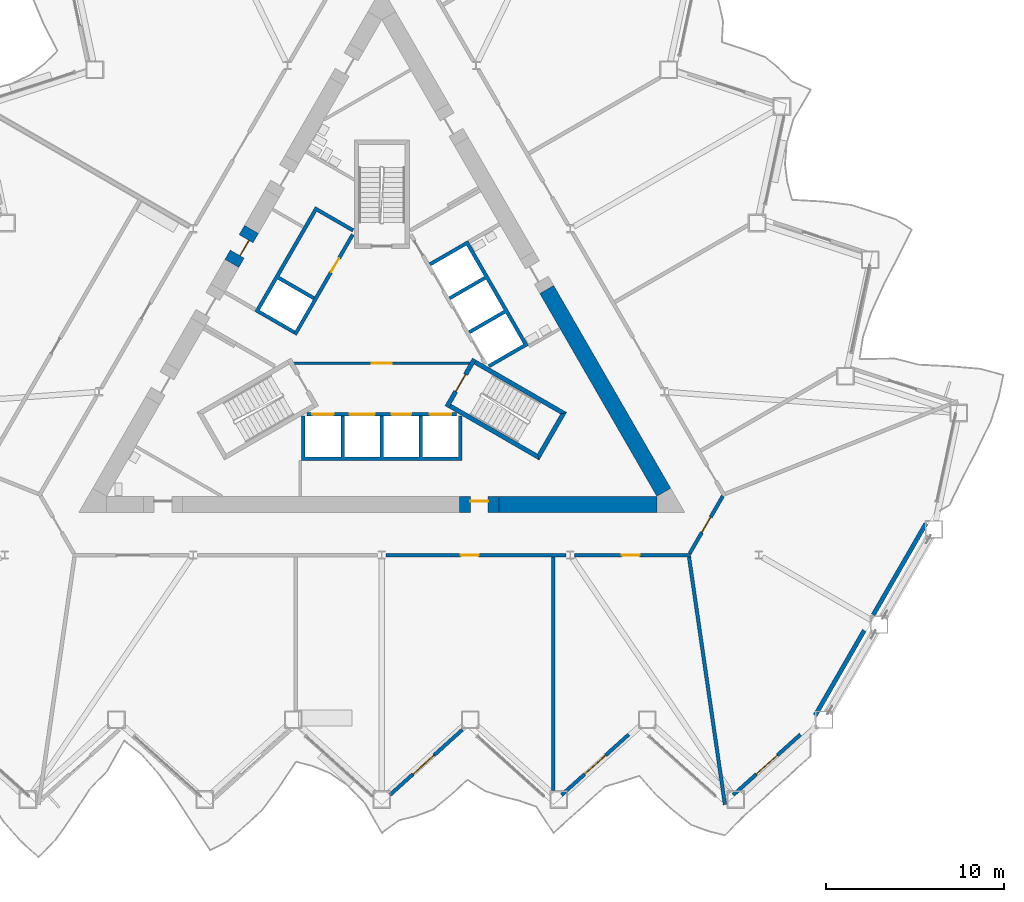
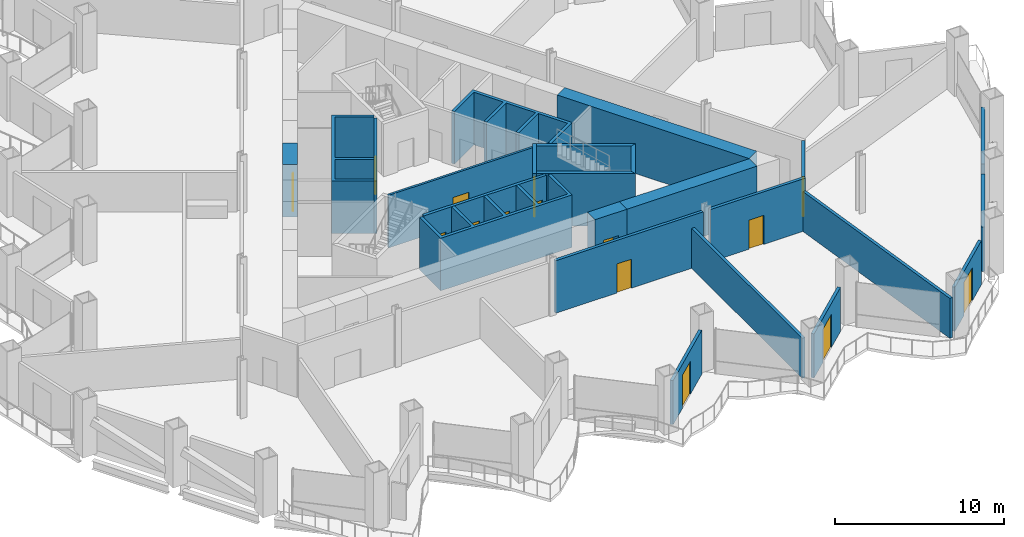
# One storey, part 10 of 20: 24 walls, 15 doors, 15 openings.
"""IFC4 building model written with IfcOpenShell, lengths in metres."""

from ifc_helpers import new_model, si_unit, direction, frame, frame_2d, origin, place, context, subcontext, project, spatial, polyline, rectangle, outline, extrude, material, layer, layer_set, type_object, element, fill, save


model = new_model("IFC4")

# Units and contexts
model_context = context("Model", 3, precision=1e-05, world=origin(), true_north=direction((0.0, 1.0)))
body_context = subcontext(model_context, "Body", "Model", "MODEL_VIEW")
ifc_project = project(units=[si_unit("LENGTHUNIT", "METRE"), si_unit("AREAUNIT", "SQUARE_METRE"), si_unit("VOLUMEUNIT", "CUBIC_METRE"), si_unit("PLANEANGLEUNIT", "RADIAN"), si_unit("MASSUNIT", "GRAM", prefix="KILO")], contexts=[model_context])

# Site, building, storey
site_placement = place(None, origin())
site = spatial("IfcSite", under=ifc_project, at=site_placement, CompositionType="ELEMENT")
building_placement = place(site_placement, origin())
building = spatial("IfcBuilding", under=site, at=building_placement, Name="Cormorant Prow Tower", CompositionType="ELEMENT")
storey_placement = place(building_placement, frame((0.0, 0.0, 38.39990234375)))
storey = spatial("IfcBuildingStorey", under=building, at=storey_placement, Name="L07", CompositionType="ELEMENT", Elevation=38.39990234375)

# Wall, opening, door
ifc_material_1 = material(Name="Gypsum board partition")
ifc_layer_1 = layer(ifc_material_1, 0.14990234375)
ifc_layer_set_1 = layer_set([ifc_layer_1], Name="Gypsum board partition")
wall_type_1 = type_object("IfcWallType", Name="Core partition 150", PredefinedType="PARTITIONING", material=ifc_layer_set_1)
wall_1_placement = place(storey_placement, frame((-4.941162109375, -1.449951171875, 0.0), z_axis=(0.0, 0.0, 1.0), x_axis=(1.0, 0.0, 0.0)))
wall_1 = element("IfcWall", 1, at=wall_1_placement, inside=storey, type_object=wall_type_1, Name="Firefighting lobby partition", PredefinedType="PARTITIONING", context=body_context, shape_type="SweptSolid", body=[
    extrude(rectangle(XDim=9.88232421875, YDim=0.14990234375, at=frame_2d((4.941162109375, 0.0))), origin(), (0.0, 0.0, 1.0), 3.800048828125),
])
opening_1_placement = place(wall_1_placement, frame((4.39111328125, 0.0, 0.0)))
opening_1 = element("IfcOpeningElement", 2, at=opening_1_placement, cuts=wall_1, Name="Opening L07-C10", PredefinedType="OPENING", context=body_context, shape_type="SweptSolid", body=[
    extrude(rectangle(XDim=1.10009765625, YDim=2.10009765625, at=frame_2d((0.550048828125, 1.050048828125))), frame((0.0, 0.0849609375, 0.0), z_axis=(0.0, -1.0, 0.0), x_axis=(1.0, 0.0, 0.0)), (0.0, 0.0, 1.0), 0.169921875),
])
ifc_material_2 = material(Name="Painted steel", Category="steel")
door_type_1 = type_object("IfcDoorType", Name="Firefighting lobby door 1100x2100", OperationType="NOTDEFINED", PredefinedType="DOOR", material=ifc_material_2)
door_1_placement = place(opening_1_placement, origin())
door_1 = element("IfcDoor", 3, at=door_1_placement, inside=storey, type_object=door_type_1, Name="Firefighting lobby door", OperationType="SINGLE_SWING_RIGHT", OverallHeight=2.10009765625, OverallWidth=1.10009765625, PredefinedType="DOOR", context=body_context, shape_type="SweptSolid", body=[
    extrude(rectangle(XDim=1.10009765625, YDim=2.10009765625, at=frame_2d((0.550048828125, 1.050048828125))), frame((0.0, 0.02490234375, 0.0), z_axis=(0.0, -1.0, 0.0), x_axis=(1.0, 0.0, 0.0)), (0.0, 0.0, 1.0), 0.050048828125),
])
fill(opening_1, door_1)

# Walls
ifc_material_3 = material(Name="Concrete 8000 psi", Category="concrete")
ifc_layer_2 = layer(ifc_material_3, 0.89990234375)
ifc_layer_set_2 = layer_set([ifc_layer_2], Name="Concrete 8000 psi")
wall_type_2 = type_object("IfcWallType", Name="Core shear wall 900", PredefinedType="SHEAR", material=ifc_layer_set_2)
wall_2_placement = place(storey_placement, frame((6.570556640625, -9.364990234375, 0.0), z_axis=(0.0, 0.0, 1.0), x_axis=(1.0, 0.0, 0.0)))
element("IfcWall", 4, at=wall_2_placement, inside=storey, type_object=wall_type_2, Name="Core wall", PredefinedType="SHEAR", context=body_context, shape_type="SweptSolid", body=[
    extrude(rectangle(XDim=8.87060546875, YDim=0.89990234375, at=frame_2d((4.435302734375, 0.0))), origin(), (0.0, 0.0, 1.0), 3.800048828125),
])
wall_3_placement = place(storey_placement, frame((15.830810546875, -8.68994140625, 0.0), z_axis=(0.0, 0.0, 1.0), x_axis=(-0.499997452939, 0.866026874326, 0.0)))
element("IfcWall", 5, at=wall_3_placement, inside=storey, type_object=wall_type_2, Name="Core wall", PredefinedType="SHEAR", context=body_context, shape_type="SweptSolid", body=[
    extrude(rectangle(XDim=13.14111328125, YDim=0.89990234375, at=frame_2d((6.570556640625, 0.0))), origin(), (0.0, 0.0, 1.0), 3.800048828125),
])

# Wall, opening, door
wall_4_placement = place(storey_placement, frame((4.37060546875, -9.364990234375, 0.0), z_axis=(0.0, 0.0, 1.0), x_axis=(1.0, 0.0, 0.0)))
wall_4 = element("IfcWall", 6, at=wall_4_placement, inside=storey, type_object=wall_type_2, Name="Core wall door panel", PredefinedType="SHEAR", context=body_context, shape_type="SweptSolid", body=[
    extrude(rectangle(XDim=2.199951171875, YDim=0.89990234375, at=frame_2d((1.10009765625, 0.0))), origin(), (0.0, 0.0, 1.0), 3.800048828125),
])
opening_2_placement = place(wall_4_placement, frame((0.60009765625, 0.0, 0.0)))
opening_2 = element("IfcOpeningElement", 7, at=opening_2_placement, cuts=wall_4, Name="Opening L07-C15", PredefinedType="OPENING", context=body_context, shape_type="SweptSolid", body=[
    extrude(rectangle(XDim=1.0, YDim=2.10009765625, at=frame_2d((0.5, 1.050048828125))), frame((0.0, 0.4599609375, 0.0), z_axis=(0.0, -1.0, 0.0), x_axis=(1.0, 0.0, 0.0)), (0.0, 0.0, 1.0), 0.919921875),
])
ifc_material_4 = material(Name="Painted steel", Category="steel")
door_type_2 = type_object("IfcDoorType", Name="Service door 1000x2100", OperationType="NOTDEFINED", PredefinedType="DOOR", material=ifc_material_4)
door_2_placement = place(opening_2_placement, origin())
door_2 = element("IfcDoor", 8, at=door_2_placement, inside=storey, type_object=door_type_2, Name="Core door, Electrical room", OperationType="SINGLE_SWING_LEFT", OverallHeight=2.10009765625, OverallWidth=1.0, PredefinedType="DOOR", context=body_context, shape_type="SweptSolid", body=[
    extrude(rectangle(XDim=1.0, YDim=2.10009765625, at=frame_2d((0.5, 1.050048828125))), frame((0.0, 0.205078125, 0.0), z_axis=(0.0, -1.0, 0.0), x_axis=(1.0, 0.0, 0.0)), (0.0, 0.0, 1.0), 0.050048828125),
])
fill(opening_2, door_2)

wall_5_placement = place(storey_placement, frame((-7.3134765625, 6.0625, 0.0), z_axis=(0.0, 0.0, 1.0), x_axis=(-0.500077893725, -0.86598042715, 0.0)))
wall_5 = element("IfcWall", 9, at=wall_5_placement, inside=storey, type_object=wall_type_2, Name="Core wall door panel", PredefinedType="SHEAR", context=body_context, shape_type="SweptSolid", body=[
    extrude(rectangle(XDim=2.199951171875, YDim=0.89990234375, at=frame_2d((1.10009765625, 0.0))), origin(), (0.0, 0.0, 1.0), 3.800048828125),
])
opening_3_placement = place(wall_5_placement, frame((0.60009765625, 0.0, 0.0)))
opening_3 = element("IfcOpeningElement", 10, at=opening_3_placement, cuts=wall_5, Name="Opening L07-C18", PredefinedType="OPENING", context=body_context, shape_type="SweptSolid", body=[
    extrude(rectangle(XDim=1.0, YDim=2.10009765625, at=frame_2d((0.5, 1.050048828125))), frame((0.0, 0.4599609375, 0.0), z_axis=(0.0, -1.0, 0.0), x_axis=(1.0, 0.0, 0.0)), (0.0, 0.0, 1.0), 0.919921875),
])
door_3_placement = place(opening_3_placement, origin())
door_3 = element("IfcDoor", 11, at=door_3_placement, inside=storey, type_object=door_type_2, Name="Core door, Housekeeping store", OperationType="SINGLE_SWING_RIGHT", OverallHeight=2.10009765625, OverallWidth=1.0, PredefinedType="DOOR", context=body_context, shape_type="SweptSolid", body=[
    extrude(rectangle(XDim=1.0, YDim=2.10009765625, at=frame_2d((0.5, 1.050048828125))), frame((0.0, 0.205078125, 0.0), z_axis=(0.0, -1.0, 0.0), x_axis=(1.0, 0.0, 0.0)), (0.0, 0.0, 1.0), 0.050048828125),
])
fill(opening_3, door_3)

ifc_material_5 = material(Name="Gypsum board corridor wall")
ifc_layer_3 = layer(ifc_material_5, 0.199951171875)
ifc_layer_set_3 = layer_set([ifc_layer_3], Name="Gypsum board corridor wall")
wall_type_3 = type_object("IfcWallType", Name="Corridor wall 200", PredefinedType="PARTITIONING", material=ifc_layer_set_3)
wall_6_placement = place(storey_placement, frame((0.2421875, -12.215087890625, 0.0), z_axis=(0.0, 0.0, 1.0), x_axis=(1.0, 0.0, 0.0)))
wall_6 = element("IfcWall", 12, at=wall_6_placement, inside=storey, type_object=wall_type_3, Name="Corridor wall", PredefinedType="PARTITIONING", context=body_context, shape_type="SweptSolid", body=[
    extrude(rectangle(XDim=10.093994140625, YDim=0.199951171875, at=frame_2d((5.046875, 0.0))), origin(), (0.0, 0.0, 1.0), 3.800048828125),
])
opening_4_placement = place(wall_6_placement, frame((4.193115234375, 0.0, 0.0)))
opening_4 = element("IfcOpeningElement", 13, at=opening_4_placement, cuts=wall_6, Name="Opening L07-F02", PredefinedType="OPENING", context=body_context, shape_type="SweptSolid", body=[
    extrude(rectangle(XDim=1.0, YDim=2.10009765625, at=frame_2d((0.5, 1.050048828125))), frame((0.0, 0.10986328125, 0.0), z_axis=(0.0, -1.0, 0.0), x_axis=(1.0, 0.0, 0.0)), (0.0, 0.0, 1.0), 0.219970703125),
])
ifc_material_6 = material(Name="Timber door leaf", Category="wood")
door_type_3 = type_object("IfcDoorType", Name="Office door 1000x2100", OperationType="NOTDEFINED", PredefinedType="DOOR", material=ifc_material_6)
door_4_placement = place(opening_4_placement, origin())
door_4 = element("IfcDoor", 14, at=door_4_placement, inside=storey, type_object=door_type_3, Name="Tenant reception door", OperationType="SINGLE_SWING_LEFT", OverallHeight=2.10009765625, OverallWidth=1.0, PredefinedType="DOOR", context=body_context, shape_type="SweptSolid", body=[
    extrude(rectangle(XDim=1.0, YDim=2.10009765625, at=frame_2d((0.5, 1.050048828125))), frame((0.0, 0.02490234375, 0.0), z_axis=(0.0, -1.0, 0.0), x_axis=(1.0, 0.0, 0.0)), (0.0, 0.0, 1.0), 0.050048828125),
])
fill(opening_4, door_4)

wall_7_placement = place(storey_placement, frame((10.82080078125, -12.215087890625, 0.0), z_axis=(0.0, 0.0, 1.0), x_axis=(1.0, 0.0, 0.0)))
wall_7 = element("IfcWall", 15, at=wall_7_placement, inside=storey, type_object=wall_type_3, Name="Corridor wall", PredefinedType="PARTITIONING", context=body_context, shape_type="SweptSolid", body=[
    extrude(rectangle(XDim=6.510009765625, YDim=0.199951171875, at=frame_2d((3.2548828125, 0.0))), origin(), (0.0, 0.0, 1.0), 3.800048828125),
])
opening_5_placement = place(wall_7_placement, frame((2.65478515625, 0.0, 0.0)))
opening_5 = element("IfcOpeningElement", 16, at=opening_5_placement, cuts=wall_7, Name="Opening L07-F03", PredefinedType="OPENING", context=body_context, shape_type="SweptSolid", body=[
    extrude(rectangle(XDim=1.0, YDim=2.10009765625, at=frame_2d((0.5, 1.050048828125))), frame((0.0, 0.10986328125, 0.0), z_axis=(0.0, -1.0, 0.0), x_axis=(1.0, 0.0, 0.0)), (0.0, 0.0, 1.0), 0.219970703125),
])
door_5_placement = place(opening_5_placement, origin())
door_5 = element("IfcDoor", 17, at=door_5_placement, inside=storey, type_object=door_type_3, Name="Tenant suite door", OperationType="SINGLE_SWING_LEFT", OverallHeight=2.10009765625, OverallWidth=1.0, PredefinedType="DOOR", context=body_context, shape_type="SweptSolid", body=[
    extrude(rectangle(XDim=1.0, YDim=2.10009765625, at=frame_2d((0.5, 1.050048828125))), frame((0.0, 0.02490234375, 0.0), z_axis=(0.0, -1.0, 0.0), x_axis=(1.0, 0.0, 0.0)), (0.0, 0.0, 1.0), 0.050048828125),
])
fill(opening_5, door_5)

wall_8_placement = place(storey_placement, frame((17.281005859375, -12.12841796875, 0.0), z_axis=(0.0, 0.0, 1.0), x_axis=(0.499958791762, 0.866049194065, 0.0)))
wall_8 = element("IfcWall", 18, at=wall_8_placement, inside=storey, type_object=wall_type_3, Name="Corridor wall", PredefinedType="PARTITIONING", context=body_context, shape_type="SweptSolid", body=[
    extrude(rectangle(XDim=3.725830078125, YDim=0.199951171875, at=frame_2d((1.86279296875, 0.0))), origin(), (0.0, 0.0, 1.0), 3.800048828125),
])
opening_6_placement = place(wall_8_placement, frame((1.363037109375, 0.0, 0.0)))
opening_6 = element("IfcOpeningElement", 19, at=opening_6_placement, cuts=wall_8, Name="Opening L07-F04", PredefinedType="OPENING", context=body_context, shape_type="SweptSolid", body=[
    extrude(rectangle(XDim=1.0, YDim=2.10009765625, at=frame_2d((0.5, 1.050048828125))), frame((0.0, 0.10986328125, 0.0), z_axis=(0.0, -1.0, 0.0), x_axis=(1.0, 0.0, 0.0)), (0.0, 0.0, 1.0), 0.219970703125),
])
door_6_placement = place(opening_6_placement, origin())
door_6 = element("IfcDoor", 20, at=door_6_placement, inside=storey, type_object=door_type_3, Name="Tenant suite door", OperationType="SINGLE_SWING_RIGHT", OverallHeight=2.10009765625, OverallWidth=1.0, PredefinedType="DOOR", context=body_context, shape_type="SweptSolid", body=[
    extrude(rectangle(XDim=1.0, YDim=2.10009765625, at=frame_2d((0.5, 1.050048828125))), frame((0.0, 0.02490234375, 0.0), z_axis=(0.0, -1.0, 0.0), x_axis=(1.0, 0.0, 0.0)), (0.0, 0.0, 1.0), 0.050048828125),
])
fill(opening_6, door_6)

# Walls
ifc_material_7 = material(Name="Gypsum board demising wall")
ifc_layer_4 = layer(ifc_material_7, 0.199951171875)
ifc_layer_set_4 = layer_set([ifc_layer_4], Name="Gypsum board demising wall")
wall_type_4 = type_object("IfcWallType", Name="Demising wall 200", PredefinedType="PARTITIONING", material=ifc_layer_set_4)
wall_9_placement = place(storey_placement, frame((17.245361328125, -12.31396484375, 0.0), z_axis=(0.0, 0.0, 1.0), x_axis=(0.143525263071, -0.989646653539, 0.0)))
element("IfcWall", 21, at=wall_9_placement, inside=storey, type_object=wall_type_4, Name="Demising wall", PredefinedType="PARTITIONING", context=body_context, shape_type="SweptSolid", body=[
    extrude(rectangle(XDim=14.050537109375, YDim=0.199951171875, at=frame_2d((7.025390625, 0.0))), origin(), (0.0, 0.0, 1.0), 2.885498046875),
])
wall_10_placement = place(storey_placement, frame((9.635009765625, -25.42138671875, 0.0), z_axis=(0.0, 0.0, 1.0), x_axis=(0.0, 1.0, 0.0)))
element("IfcWall", 22, at=wall_10_placement, inside=storey, type_object=wall_type_4, Name="Demising wall", PredefinedType="PARTITIONING", context=body_context, shape_type="SweptSolid", body=[
    extrude(rectangle(XDim=13.1064453125, YDim=0.199951171875, at=frame_2d((6.55322265625, 0.0))), origin(), (0.0, 0.0, 1.0), 2.885498046875),
])

# Wall, openings, doors
ifc_material_8 = material(Name="Concrete 5000 psi", Category="concrete")
ifc_layer_5 = layer(ifc_material_8, 0.199951171875)
ifc_layer_set_5 = layer_set([ifc_layer_5], Name="Concrete 5000 psi")
wall_type_5 = type_object("IfcWallType", Name="Lift lobby wall 200", PredefinedType="SOLIDWALL", material=ifc_layer_set_5)
wall_11_placement = place(storey_placement, frame((-4.1865234375, -4.300048828125, 0.0), z_axis=(0.0, 0.0, 1.0), x_axis=(1.0, 0.0, 0.0)))
wall_11 = element("IfcWall", 23, at=wall_11_placement, inside=storey, type_object=wall_type_5, Name="Lift lobby wall, S block", PredefinedType="SOLIDWALL", context=body_context, shape_type="SweptSolid", body=[
    extrude(rectangle(XDim=8.373046875, YDim=0.199951171875, at=frame_2d((4.1865234375, 0.0))), origin(), (0.0, 0.0, 1.0), 3.800048828125),
])
opening_7_placement = place(wall_11_placement, frame((0.28662109375, 0.0, 0.0)))
opening_7 = element("IfcOpeningElement", 24, at=opening_7_placement, cuts=wall_11, Name="Opening L07-C01", PredefinedType="OPENING", context=body_context, shape_type="SweptSolid", body=[
    extrude(rectangle(XDim=1.199951171875, YDim=2.10009765625, at=frame_2d((0.60009765625, 1.050048828125))), frame((0.0, 0.10986328125, 0.0), z_axis=(0.0, -1.0, 0.0), x_axis=(1.0, 0.0, 0.0)), (0.0, 0.0, 1.0), 0.219970703125),
])
opening_8_placement = place(wall_11_placement, frame((2.38671875, 0.0, 0.0)))
opening_8 = element("IfcOpeningElement", 25, at=opening_8_placement, cuts=wall_11, Name="Opening L07-C02", PredefinedType="OPENING", context=body_context, shape_type="SweptSolid", body=[
    extrude(rectangle(XDim=1.39990234375, YDim=2.10009765625, at=frame_2d((0.699951171875, 1.050048828125))), frame((0.0, 0.10986328125, 0.0), z_axis=(0.0, -1.0, 0.0), x_axis=(1.0, 0.0, 0.0)), (0.0, 0.0, 1.0), 0.219970703125),
])
opening_9_placement = place(wall_11_placement, frame((4.736572265625, 0.0, 0.0)))
opening_9 = element("IfcOpeningElement", 26, at=opening_9_placement, cuts=wall_11, Name="Opening L07-C03", PredefinedType="OPENING", context=body_context, shape_type="SweptSolid", body=[
    extrude(rectangle(XDim=1.10009765625, YDim=2.10009765625, at=frame_2d((0.550048828125, 1.050048828125))), frame((0.0, 0.10986328125, 0.0), z_axis=(0.0, -1.0, 0.0), x_axis=(1.0, 0.0, 0.0)), (0.0, 0.0, 1.0), 0.219970703125),
])
opening_10_placement = place(wall_11_placement, frame((6.88671875, 0.0, 0.0)))
opening_10 = element("IfcOpeningElement", 27, at=opening_10_placement, cuts=wall_11, Name="Opening L07-C04", PredefinedType="OPENING", context=body_context, shape_type="SweptSolid", body=[
    extrude(rectangle(XDim=1.199951171875, YDim=2.10009765625, at=frame_2d((0.60009765625, 1.050048828125))), frame((0.0, 0.10986328125, 0.0), z_axis=(0.0, -1.0, 0.0), x_axis=(1.0, 0.0, 0.0)), (0.0, 0.0, 1.0), 0.219970703125),
])
ifc_material_9 = material(Name="Painted steel", Category="steel")
door_type_4 = type_object("IfcDoorType", Name="Firefighting lift landing door 1200x2100", OperationType="SLIDING_TO_LEFT", PredefinedType="DOOR", material=ifc_material_9)
door_7_placement = place(opening_7_placement, origin())
door_7 = element("IfcDoor", 28, at=door_7_placement, inside=storey, type_object=door_type_4, Name="Landing door FL1", OperationType="SLIDING_TO_LEFT", OverallHeight=2.10009765625, OverallWidth=1.199951171875, PredefinedType="DOOR", context=body_context, shape_type="SweptSolid", body=[
    extrude(rectangle(XDim=1.199951171875, YDim=2.10009765625, at=frame_2d((0.60009765625, 1.050048828125))), frame((0.0, 0.02490234375, 0.0), z_axis=(0.0, -1.0, 0.0), x_axis=(1.0, 0.0, 0.0)), (0.0, 0.0, 1.0), 0.050048828125),
])
fill(opening_7, door_7)
door_8_placement = place(opening_10_placement, origin())
door_8 = element("IfcDoor", 29, at=door_8_placement, inside=storey, type_object=door_type_4, Name="Landing door FL2", OperationType="SLIDING_TO_LEFT", OverallHeight=2.10009765625, OverallWidth=1.199951171875, PredefinedType="DOOR", context=body_context, shape_type="SweptSolid", body=[
    extrude(rectangle(XDim=1.199951171875, YDim=2.10009765625, at=frame_2d((0.60009765625, 1.050048828125))), frame((0.0, 0.02490234375, 0.0), z_axis=(0.0, -1.0, 0.0), x_axis=(1.0, 0.0, 0.0)), (0.0, 0.0, 1.0), 0.050048828125),
])
fill(opening_10, door_8)
ifc_material_10 = material(Name="Painted steel", Category="steel")
door_type_5 = type_object("IfcDoorType", Name="Lift landing door 1100x2100", OperationType="SLIDING_TO_LEFT", PredefinedType="DOOR", material=ifc_material_10)
door_9_placement = place(opening_9_placement, origin())
door_9 = element("IfcDoor", 30, at=door_9_placement, inside=storey, type_object=door_type_5, Name="Landing door LR1", OperationType="SLIDING_TO_LEFT", OverallHeight=2.10009765625, OverallWidth=1.10009765625, PredefinedType="DOOR", context=body_context, shape_type="SweptSolid", body=[
    extrude(rectangle(XDim=1.10009765625, YDim=2.10009765625, at=frame_2d((0.550048828125, 1.050048828125))), frame((0.0, 0.02490234375, 0.0), z_axis=(0.0, -1.0, 0.0), x_axis=(1.0, 0.0, 0.0)), (0.0, 0.0, 1.0), 0.050048828125),
])
fill(opening_9, door_9)
ifc_material_11 = material(Name="Painted steel", Category="steel")
door_type_6 = type_object("IfcDoorType", Name="Service lift landing door 1400x2100", OperationType="SLIDING_TO_LEFT", PredefinedType="DOOR", material=ifc_material_11)
door_10_placement = place(opening_8_placement, origin())
door_10 = element("IfcDoor", 31, at=door_10_placement, inside=storey, type_object=door_type_6, Name="Landing door SL1", OperationType="SLIDING_TO_LEFT", OverallHeight=2.10009765625, OverallWidth=1.39990234375, PredefinedType="DOOR", context=body_context, shape_type="SweptSolid", body=[
    extrude(rectangle(XDim=1.39990234375, YDim=2.10009765625, at=frame_2d((0.699951171875, 1.050048828125))), frame((0.0, 0.02490234375, 0.0), z_axis=(0.0, -1.0, 0.0), x_axis=(1.0, 0.0, 0.0)), (0.0, 0.0, 1.0), 0.050048828125),
])
fill(opening_8, door_10)

# Wall, opening, door
wall_12_placement = place(storey_placement, frame((-1.630615234375, 5.775634765625, 0.0), z_axis=(0.0, 0.0, 1.0), x_axis=(-0.499992876559, -0.866029516466, 0.0)))
wall_12 = element("IfcWall", 32, at=wall_12_placement, inside=storey, type_object=wall_type_5, Name="Lift lobby wall, WNW block", PredefinedType="SOLIDWALL", context=body_context, shape_type="SweptSolid", body=[
    extrude(rectangle(XDim=6.486328125, YDim=0.199951171875, at=frame_2d((3.2431640625, 0.0))), origin(), (0.0, 0.0, 1.0), 3.800048828125),
])
opening_11_placement = place(wall_12_placement, frame((1.53662109375, 0.0, 0.0)))
opening_11 = element("IfcOpeningElement", 33, at=opening_11_placement, cuts=wall_12, Name="Opening L07-C09", PredefinedType="OPENING", context=body_context, shape_type="SweptSolid", body=[
    extrude(rectangle(XDim=0.89990234375, YDim=2.10009765625, at=frame_2d((0.449951171875, 1.050048828125))), frame((0.0, 0.10986328125, 0.0), z_axis=(0.0, -1.0, 0.0), x_axis=(1.0, 0.0, 0.0)), (0.0, 0.0, 1.0), 0.219970703125),
])
ifc_material_12 = material(Name="Painted steel", Category="steel")
door_type_7 = type_object("IfcDoorType", Name="Service door 900x2100", OperationType="NOTDEFINED", PredefinedType="DOOR", material=ifc_material_12)
door_11_placement = place(opening_11_placement, origin())
door_11 = element("IfcDoor", 34, at=door_11_placement, inside=storey, type_object=door_type_7, Name="Service door, Linen store", OperationType="SINGLE_SWING_LEFT", OverallHeight=2.10009765625, OverallWidth=0.89990234375, PredefinedType="DOOR", context=body_context, shape_type="SweptSolid", body=[
    extrude(rectangle(XDim=0.89990234375, YDim=2.10009765625, at=frame_2d((0.449951171875, 1.050048828125))), frame((0.0, 0.02490234375, 0.0), z_axis=(0.0, -1.0, 0.0), x_axis=(1.0, 0.0, 0.0)), (0.0, 0.0, 1.0), 0.050048828125),
])
fill(opening_11, door_11)

# Walls
ifc_material_13 = material(Name="Concrete 8000 psi", Category="concrete")
ifc_layer_6 = layer(ifc_material_13, 0.199951171875)
ifc_layer_set_6 = layer_set([ifc_layer_6], Name="Concrete 8000 psi")
wall_type_6 = type_object("IfcWallType", Name="Lift shaft wall 200", PredefinedType="SHEAR", material=ifc_layer_set_6)
wall_13_placement = place(storey_placement, origin())
element("IfcWall", 35, at=wall_13_placement, inside=storey, type_object=wall_type_6, Name="Lift shaft walls, S block", PredefinedType="SHEAR", context=body_context, shape_type="SweptSolid", body=[
    extrude(outline(polyline([(4.5, -4.39990234375), (4.5, -6.906005859375), (-4.5, -6.906005859375), (-4.5, -4.39990234375), (-4.300048828125, -4.39990234375), (-4.300048828125, -6.699951171875), (-2.300048828125, -6.699951171875), (-2.300048828125, -4.39990234375), (-2.10009765625, -4.39990234375), (-2.10009765625, -6.699951171875), (-0.10009765625, -6.699951171875), (-0.10009765625, -4.39990234375), (0.10009765625, -4.39990234375), (0.10009765625, -6.699951171875), (2.10009765625, -6.699951171875), (2.10009765625, -4.39990234375), (2.300048828125, -4.39990234375), (2.300048828125, -6.699951171875), (4.300048828125, -6.699951171875), (4.300048828125, -4.39990234375), (4.5, -4.39990234375)])), origin(), (0.0, 0.0, 1.0), 3.800048828125),
])
wall_14_placement = place(storey_placement, origin())
element("IfcWall", 36, at=wall_14_placement, inside=storey, type_object=wall_type_6, Name="Lift shaft walls, ENE block", PredefinedType="SHEAR", context=body_context, shape_type="SweptSolid", body=[
    extrude(outline(polyline([(2.660400390625, 4.19189453125), (4.830810546875, 5.44482421875), (8.230712890625, -0.444091796875), (6.060546875, -1.697021484375), (5.96044921875, -1.52392578125), (7.952392578125, -0.373779296875), (6.952392578125, 1.358154296875), (4.96044921875, 0.2080078125), (4.860595703125, 0.38134765625), (6.852294921875, 1.53125), (5.852294921875, 3.263427734375), (3.860595703125, 2.11328125), (3.760498046875, 2.28662109375), (5.75244140625, 3.4365234375), (4.75244140625, 5.168701171875), (2.760498046875, 4.018798828125), (2.660400390625, 4.19189453125)])), origin(), (0.0, 0.0, 1.0), 3.800048828125),
])
wall_15_placement = place(storey_placement, origin())
element("IfcWall", 37, at=wall_15_placement, inside=storey, type_object=wall_type_6, Name="Lift shaft walls, WNW block", PredefinedType="SHEAR", context=body_context, shape_type="SweptSolid", body=[
    extrude(outline(polyline([(-4.96044921875, 0.2080078125), (-7.130859375, 1.461181640625), (-3.730712890625, 7.35009765625), (-1.560546875, 6.09716796875), (-1.660400390625, 5.923828125), (-3.65234375, 7.073974609375), (-5.75244140625, 3.4365234375), (-3.760498046875, 2.28662109375), (-3.860595703125, 2.11328125), (-5.852294921875, 3.263427734375), (-6.852294921875, 1.53125), (-4.860595703125, 0.38134765625), (-4.96044921875, 0.2080078125)])), origin(), (0.0, 0.0, 1.0), 3.800048828125),
])
ifc_material_14 = material(Name="Concrete 8000 psi", Category="concrete")
ifc_layer_7 = layer(ifc_material_14, 0.25)
ifc_layer_set_7 = layer_set([ifc_layer_7], Name="Concrete 8000 psi")
wall_type_7 = type_object("IfcWallType", Name="Stair wall 250", PredefinedType="SHEAR", material=ifc_layer_set_7)
wall_16_placement = place(storey_placement, origin())
element("IfcWall", 38, at=wall_16_placement, inside=storey, type_object=wall_type_7, Name="Stair ST2 enclosure wall (flank)", PredefinedType="SHEAR", context=body_context, shape_type="SweptSolid", body=[
    extrude(outline(polyline([(3.76318359375, -3.95556640625), (8.82958984375, -6.880615234375), (8.738037109375, -6.5390625), (3.88818359375, -3.739013671875), (3.76318359375, -3.95556640625)])), origin(), (0.0, 0.0, 1.0), 3.800048828125),
])
wall_17_placement = place(storey_placement, origin())
element("IfcWall", 39, at=wall_17_placement, inside=storey, type_object=wall_type_7, Name="Stair ST2 enclosure wall (end)", PredefinedType="SHEAR", context=body_context, shape_type="SweptSolid", body=[
    extrude(outline(polyline([(8.82958984375, -6.880615234375), (10.37353515625, -4.206298828125), (10.031982421875, -4.2978515625), (8.738037109375, -6.5390625), (8.82958984375, -6.880615234375)])), origin(), (0.0, 0.0, 1.0), 3.800048828125),
])
wall_18_placement = place(storey_placement, origin())
element("IfcWall", 40, at=wall_18_placement, inside=storey, type_object=wall_type_7, Name="Stair ST2 enclosure wall (flank)", PredefinedType="SHEAR", context=body_context, shape_type="SweptSolid", body=[
    extrude(outline(polyline([(10.031982421875, -4.2978515625), (10.37353515625, -4.206298828125), (5.30712890625, -1.28125), (5.18212890625, -1.497802734375), (10.031982421875, -4.2978515625)])), origin(), (0.0, 0.0, 1.0), 3.800048828125),
])

# Wall, opening, door
wall_19_placement = place(storey_placement, frame((3.655029296875, -3.89306640625, 0.0), z_axis=(0.0, 0.0, 1.0), x_axis=(0.499982516597, 0.866035497597, 0.0)))
wall_19 = element("IfcWall", 41, at=wall_19_placement, inside=storey, type_object=wall_type_7, Name="Stair ST2 door wall", PredefinedType="SHEAR", context=body_context, shape_type="SweptSolid", body=[
    extrude(rectangle(XDim=3.087890625, YDim=0.25, at=frame_2d((1.5439453125, 0.0))), origin(), (0.0, 0.0, 1.0), 3.800048828125),
])
opening_12_placement = place(wall_19_placement, frame((0.993896484375, 0.0, 0.0)))
opening_12 = element("IfcOpeningElement", 42, at=opening_12_placement, cuts=wall_19, Name="Opening L07-C12", PredefinedType="OPENING", context=body_context, shape_type="SweptSolid", body=[
    extrude(rectangle(XDim=1.10009765625, YDim=2.10009765625, at=frame_2d((0.550048828125, 1.050048828125))), frame((0.0, 0.135009765625, 0.0), z_axis=(0.0, -1.0, 0.0), x_axis=(1.0, 0.0, 0.0)), (0.0, 0.0, 1.0), 0.27001953125),
])
ifc_material_15 = material(Name="Painted steel", Category="steel")
door_type_8 = type_object("IfcDoorType", Name="Stair door 1100x2100", OperationType="NOTDEFINED", PredefinedType="DOOR", material=ifc_material_15)
door_12_placement = place(opening_12_placement, origin())
door_12 = element("IfcDoor", 43, at=door_12_placement, inside=storey, type_object=door_type_8, Name="Stair ST2 door", OperationType="SINGLE_SWING_RIGHT", OverallHeight=2.10009765625, OverallWidth=1.10009765625, PredefinedType="DOOR", context=body_context, shape_type="SweptSolid", body=[
    extrude(rectangle(XDim=1.10009765625, YDim=2.10009765625, at=frame_2d((0.550048828125, 1.050048828125))), frame((0.0, 0.02490234375, 0.0), z_axis=(0.0, -1.0, 0.0), x_axis=(1.0, 0.0, 0.0)), (0.0, 0.0, 1.0), 0.050048828125),
])
fill(opening_12, door_12)

# Walls
ifc_material_16 = material(Name="Terracotta", Category="masonry")
ifc_layer_8 = layer(ifc_material_16, 0.25)
ifc_layer_set_8 = layer_set([ifc_layer_8], Name="Terracotta")
wall_type_8 = type_object("IfcWallType", Name="Terracotta bay wall 250", PredefinedType="SOLIDWALL", material=ifc_layer_set_8)
wall_20_placement = place(storey_placement, frame((24.3310546875, -21.21728515625, 0.0), z_axis=(0.0, 0.0, 1.0), x_axis=(0.500006469283, 0.86602166871, 0.0)))
element("IfcWall", 44, at=wall_20_placement, inside=storey, type_object=wall_type_8, Name="Terracotta bay wall ESE00", PredefinedType="SOLIDWALL", context=body_context, shape_type="SweptSolid", body=[
    extrude(rectangle(XDim=5.50634765625, YDim=0.25, at=frame_2d((2.753173828125, 0.0))), origin(), (0.0, 0.0, 1.0), 3.18896484375),
])
wall_21_placement = place(storey_placement, frame((27.59326171875, -15.56689453125, 0.0), z_axis=(0.0, 0.0, 1.0), x_axis=(0.500010498135, 0.866019342599, 0.0)))
element("IfcWall", 45, at=wall_21_placement, inside=storey, type_object=wall_type_8, Name="Terracotta bay wall ESE01", PredefinedType="SOLIDWALL", context=body_context, shape_type="SweptSolid", body=[
    extrude(rectangle(XDim=5.893798828125, YDim=0.25, at=frame_2d((2.94677734375, 0.0))), origin(), (0.0, 0.0, 1.0), 3.18896484375),
])

# Wall, opening, door
ifc_material_17 = material(Name="Terracotta", Category="masonry")
ifc_layer_9 = layer(ifc_material_17, 0.199951171875)
ifc_layer_set_9 = layer_set([ifc_layer_9], Name="Terracotta")
wall_type_9 = type_object("IfcWallType", Name="Terracotta jamb wall 200", PredefinedType="SOLIDWALL", material=ifc_layer_set_9)
wall_22_placement = place(storey_placement, frame((0.45556640625, -25.681640625, 0.0), z_axis=(0.0, 0.0, 1.0), x_axis=(0.743138867168, 0.669137223673, 0.0)))
wall_22 = element("IfcWall", 46, at=wall_22_placement, inside=storey, type_object=wall_type_9, Name="Terracotta jamb wall S05", PredefinedType="SOLIDWALL", context=body_context, shape_type="SweptSolid", body=[
    extrude(rectangle(XDim=5.47314453125, YDim=0.199951171875, at=frame_2d((2.736572265625, 0.0))), origin(), (0.0, 0.0, 1.0), 3.18896484375),
])
opening_13_placement = place(wall_22_placement, frame((1.73828125, 0.0, 0.0)))
opening_13 = element("IfcOpeningElement", 47, at=opening_13_placement, cuts=wall_22, Name="Opening ED07.03", PredefinedType="OPENING", context=body_context, shape_type="SweptSolid", body=[
    extrude(rectangle(XDim=1.60009765625, YDim=2.39990234375, at=frame_2d((0.800048828125, 1.199951171875))), frame((0.0, 0.10986328125, 0.0), z_axis=(0.0, -1.0, 0.0), x_axis=(1.0, 0.0, 0.0)), (0.0, 0.0, 1.0), 0.219970703125),
])
ifc_material_18 = material(Name="Aluminium 6063-T6", Category="aluminium")
door_type_9 = type_object("IfcDoorType", Name="Balcony door 1600x2400", OperationType="DOUBLE_DOOR_SINGLE_SWING", PredefinedType="DOOR", material=ifc_material_18)
door_13_placement = place(opening_13_placement, origin())
door_13 = element("IfcDoor", 48, at=door_13_placement, inside=storey, type_object=door_type_9, Name="Balcony door S05 ED07.03", OperationType="DOUBLE_DOOR_SINGLE_SWING", OverallHeight=2.39990234375, OverallWidth=1.60009765625, PredefinedType="DOOR", context=body_context, shape_type="SweptSolid", body=[
    extrude(rectangle(XDim=1.60009765625, YDim=2.39990234375, at=frame_2d((0.800048828125, 1.199951171875))), frame((0.0, 0.02490234375, 0.0), z_axis=(0.0, -1.0, 0.0), x_axis=(1.0, 0.0, 0.0)), (0.0, 0.0, 1.0), 0.050048828125),
])
fill(opening_13, door_13)

wall_23_placement = place(storey_placement, frame((10.090576171875, -25.681640625, 0.0), z_axis=(0.0, 0.0, 1.0), x_axis=(0.74314347906, 0.669132101704, 0.0)))
wall_23 = element("IfcWall", 49, at=wall_23_placement, inside=storey, type_object=wall_type_9, Name="Terracotta jamb wall S07", PredefinedType="SOLIDWALL", context=body_context, shape_type="SweptSolid", body=[
    extrude(rectangle(XDim=5.07666015625, YDim=0.199951171875, at=frame_2d((2.538330078125, 0.0))), origin(), (0.0, 0.0, 1.0), 3.18896484375),
])
opening_14_placement = place(wall_23_placement, frame((1.73828125, 0.0, 0.0)))
opening_14 = element("IfcOpeningElement", 50, at=opening_14_placement, cuts=wall_23, Name="Opening ED07.04", PredefinedType="OPENING", context=body_context, shape_type="SweptSolid", body=[
    extrude(rectangle(XDim=1.60009765625, YDim=2.39990234375, at=frame_2d((0.800048828125, 1.199951171875))), frame((0.0, 0.10986328125, 0.0), z_axis=(0.0, -1.0, 0.0), x_axis=(1.0, 0.0, 0.0)), (0.0, 0.0, 1.0), 0.219970703125),
])
door_14_placement = place(opening_14_placement, origin())
door_14 = element("IfcDoor", 51, at=door_14_placement, inside=storey, type_object=door_type_9, Name="Balcony door S07 ED07.04", OperationType="DOUBLE_DOOR_SINGLE_SWING", OverallHeight=2.39990234375, OverallWidth=1.60009765625, PredefinedType="DOOR", context=body_context, shape_type="SweptSolid", body=[
    extrude(rectangle(XDim=1.60009765625, YDim=2.39990234375, at=frame_2d((0.800048828125, 1.199951171875))), frame((0.0, 0.02490234375, 0.0), z_axis=(0.0, -1.0, 0.0), x_axis=(1.0, 0.0, 0.0)), (0.0, 0.0, 1.0), 0.050048828125),
])
fill(opening_14, door_14)

wall_24_placement = place(storey_placement, frame((19.725830078125, -25.681640625, 0.0), z_axis=(0.0, 0.0, 1.0), x_axis=(0.74314347906, 0.669132101704, 0.0)))
wall_24 = element("IfcWall", 52, at=wall_24_placement, inside=storey, type_object=wall_type_9, Name="Terracotta jamb wall S09", PredefinedType="SOLIDWALL", context=body_context, shape_type="SweptSolid", body=[
    extrude(rectangle(XDim=5.07666015625, YDim=0.199951171875, at=frame_2d((2.538330078125, 0.0))), origin(), (0.0, 0.0, 1.0), 3.18896484375),
])
opening_15_placement = place(wall_24_placement, frame((1.73828125, 0.0, 0.0)))
opening_15 = element("IfcOpeningElement", 53, at=opening_15_placement, cuts=wall_24, Name="Opening ED07.05", PredefinedType="OPENING", context=body_context, shape_type="SweptSolid", body=[
    extrude(rectangle(XDim=1.60009765625, YDim=2.39990234375, at=frame_2d((0.800048828125, 1.199951171875))), frame((0.0, 0.10986328125, 0.0), z_axis=(0.0, -1.0, 0.0), x_axis=(1.0, 0.0, 0.0)), (0.0, 0.0, 1.0), 0.219970703125),
])
door_15_placement = place(opening_15_placement, origin())
door_15 = element("IfcDoor", 54, at=door_15_placement, inside=storey, type_object=door_type_9, Name="Balcony door S09 ED07.05", OperationType="DOUBLE_DOOR_SINGLE_SWING", OverallHeight=2.39990234375, OverallWidth=1.60009765625, PredefinedType="DOOR", context=body_context, shape_type="SweptSolid", body=[
    extrude(rectangle(XDim=1.60009765625, YDim=2.39990234375, at=frame_2d((0.800048828125, 1.199951171875))), frame((0.0, 0.02490234375, 0.0), z_axis=(0.0, -1.0, 0.0), x_axis=(1.0, 0.0, 0.0)), (0.0, 0.0, 1.0), 0.050048828125),
])
fill(opening_15, door_15)

save(model, "model.ifc")
